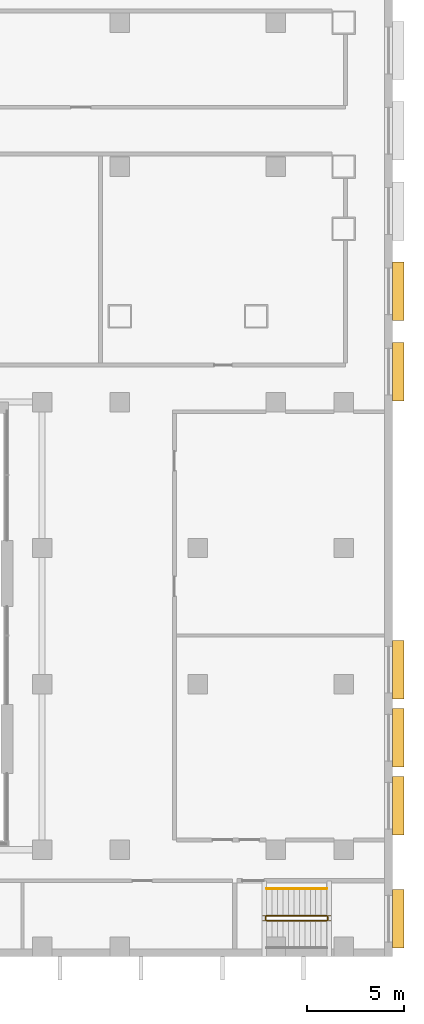
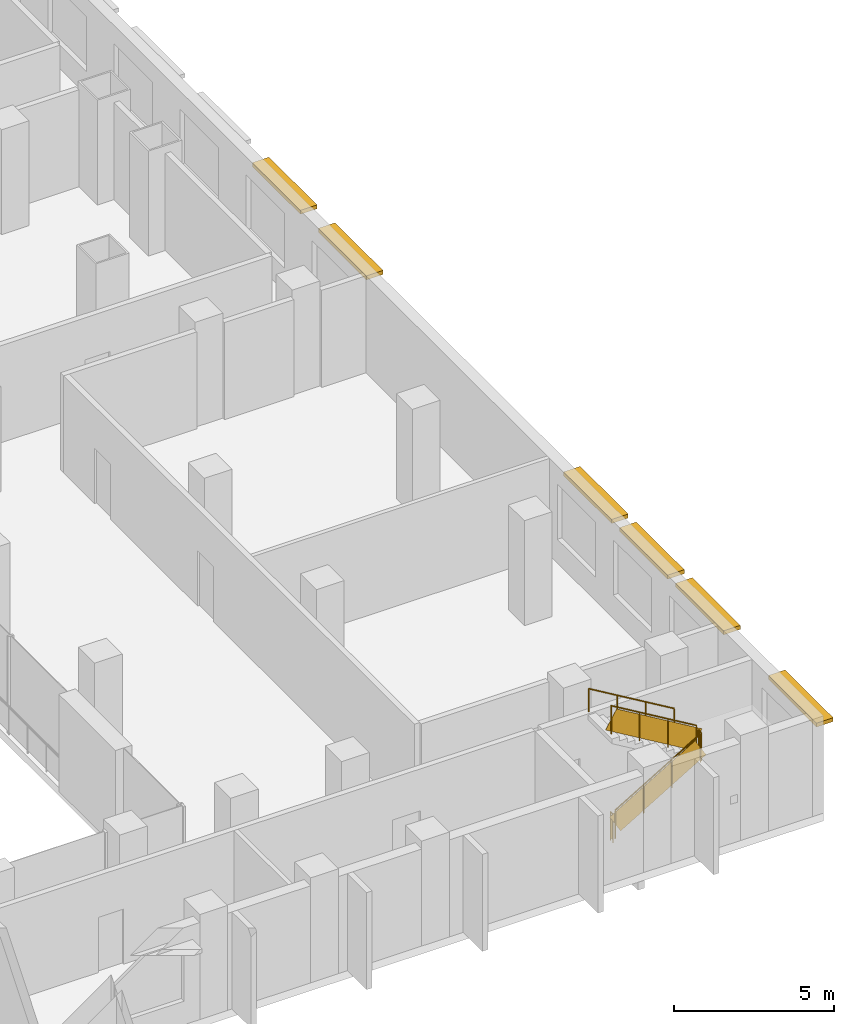
# One storey, part 22 of 25: 6 shading devices, 5 railings.
"""IFC4 building model written with IfcOpenShell, lengths in metres."""

import ifcopenshell
import ifcopenshell.guid

model = None  # the IFC model being written
_history = None  # IfcOwnerHistory: only IFC2X3 demands one
_inside = {}  # id of a spatial element -> (the spatial element, [elements in it])
_under = {}  # id of a project, library or spatial element -> (it, [spatial elements below it])
_declared = {}  # id of a project -> (the project, [libraries it declares])
_typed = {}  # id of a type object -> (the type object, [elements of that type])
_made_of = {}  # id of a material, layer set ... -> (it, [elements and type objects made of it])


def new_model(schema):
    """Start an empty IFC model of exactly this schema.

    Asked for "IFC4X3", IfcOpenShell would pick the latest addendum, in which some entities
    have other attributes; the version numbers below select the first issue.
    IFC2X3 requires an IfcOwnerHistory on every rooted entity: one is made here for all.
    """
    global model, _history
    if schema == "IFC4X3":
        model = ifcopenshell.file(schema_version=(4, 3, 0, 0))
    else:
        model = ifcopenshell.file(schema=schema)
    _inside.clear()
    _under.clear()
    _declared.clear()
    _typed.clear()
    _made_of.clear()
    _history = None
    if model.schema == "IFC2X3":
        org = make("IfcOrganization", Name="unknown")
        user = make(
            "IfcPersonAndOrganization",
            ThePerson=make("IfcPerson", FamilyName="unknown"),
            TheOrganization=org,
        )
        app = make(
            "IfcApplication",
            ApplicationDeveloper=org,
            Version="unknown",
            ApplicationFullName="unknown",
            ApplicationIdentifier="unknown",
        )
        _history = make(
            "IfcOwnerHistory",
            OwningUser=user,
            OwningApplication=app,
            ChangeAction="ADDED",
            CreationDate=0,
        )
    return model


def make(cls, **values):
    """One entity of the class cls with the attributes given. An attribute that is None is left unset."""
    return model.create_entity(
        cls, **{name: value for name, value in values.items() if value is not None}
    )


def rooted(cls, **values):
    """An entity with a GlobalId (a new one), such as an element, a storey or a relation."""
    return make(cls, GlobalId=ifcopenshell.guid.new(), OwnerHistory=_history, **values)


def si_unit(unit_type, name, prefix=None):
    """IfcSIUnit, for example si_unit("LENGTHUNIT", "METRE", prefix="MILLI")."""
    return make("IfcSIUnit", UnitType=unit_type, Prefix=prefix, Name=name)


def assignment(units):
    """IfcUnitAssignment: the units of a project."""
    return None if units is None else make("IfcUnitAssignment", Units=units)


def point(xyz):
    """IfcCartesianPoint."""
    return None if xyz is None else make("IfcCartesianPoint", Coordinates=xyz)


def direction(xyz):
    """IfcDirection."""
    return None if xyz is None else make("IfcDirection", DirectionRatios=xyz)


def frame(location, z_axis=None, x_axis=None):
    """IfcAxis2Placement3D, a coordinate frame: its origin and axes. An axis left out is left unset."""
    return make(
        "IfcAxis2Placement3D",
        Location=point(location),
        Axis=direction(z_axis),
        RefDirection=direction(x_axis),
    )


def frame_2d(location, x_axis=None):
    """IfcAxis2Placement2D, a coordinate frame in the plane: its origin and x axis."""
    return make(
        "IfcAxis2Placement2D", Location=point(location), RefDirection=direction(x_axis)
    )


def origin():
    """The frame at (0, 0, 0) with its axes left unset."""
    return frame((0.0, 0.0, 0.0))


def origin_2d():
    """The frame at (0, 0) in the plane with its x axis left unset."""
    return frame_2d((0.0, 0.0))


def place(relative_to, where):
    """IfcLocalPlacement: puts the frame where relative to a parent placement (None: the world)."""
    return make(
        "IfcLocalPlacement", PlacementRelTo=relative_to, RelativePlacement=where
    )


def context(
    kind, dimensions, precision=None, world=None, true_north=None, identifier=None
):
    """IfcGeometricRepresentationContext, for example the 3D "Model" context."""
    return make(
        "IfcGeometricRepresentationContext",
        ContextIdentifier=identifier,
        ContextType=kind,
        CoordinateSpaceDimension=dimensions,
        Precision=precision,
        WorldCoordinateSystem=world,
        TrueNorth=true_north,
    )


def subcontext(parent, identifier, kind, view, scale=None):
    """IfcGeometricRepresentationSubContext, for example "Body" below "Model"."""
    return make(
        "IfcGeometricRepresentationSubContext",
        ContextIdentifier=identifier,
        ContextType=kind,
        ParentContext=parent,
        TargetScale=scale,
        TargetView=view,
    )


def project(units=None, contexts=None):
    """IfcProject with its units and contexts."""
    return rooted(
        "IfcProject",
        Name="project",
        RepresentationContexts=contexts,
        UnitsInContext=assignment(units),
    )


def spatial(cls, under=None, at=None, **own):
    """A site, building, storey or space (cls), placed at a placement, below another one or the project."""
    s = rooted(cls, ObjectPlacement=at, **own)
    if under is not None:
        _under.setdefault(under.id(), (under, []))[1].append(s)
    return s


def profile(cls, at=None, kind="AREA", **sizes):
    """A parametric profile (cls). Its sizes go by their IFC names, for example OverallWidth=200.0."""
    return make(cls, ProfileType=kind, Position=at, **sizes)


def rectangle(**sizes):
    """IfcRectangleProfileDef."""
    return profile("IfcRectangleProfileDef", **sizes)


def circle(**sizes):
    """IfcCircleProfileDef."""
    return profile("IfcCircleProfileDef", **sizes)


def extrude(swept, where, along, depth):
    """IfcExtrudedAreaSolid: the profile swept, set in the frame where, extruded along a direction by depth."""
    return make(
        "IfcExtrudedAreaSolid",
        SweptArea=swept,
        Position=where,
        ExtrudedDirection=direction(along),
        Depth=depth,
    )


def shape(context_of_items, identifier, shape_type, items):
    """IfcShapeRepresentation: the items that make up one representation, for example the "Body"."""
    return make(
        "IfcShapeRepresentation",
        ContextOfItems=context_of_items,
        RepresentationIdentifier=identifier,
        RepresentationType=shape_type,
        Items=items,
    )


def material(Name=None, Category=None):
    """IfcMaterial."""
    return make("IfcMaterial", Name=Name, Category=Category)


def layer(
    of_material, thickness, ventilated=None, Name=None, Category=None, Priority=None
):
    """IfcMaterialLayer: one layer of a wall or slab, of a material (None: an air gap)."""
    return make(
        "IfcMaterialLayer",
        Material=of_material,
        LayerThickness=thickness,
        IsVentilated=ventilated,
        Name=Name,
        Category=Category,
        Priority=Priority,
    )


def layer_set(layers, Name=None):
    """IfcMaterialLayerSet."""
    return make("IfcMaterialLayerSet", MaterialLayers=layers, LayerSetName=Name)


def made_of(thing, what):
    """Note that an element or type object is made of a material, layer set ...; save() writes the relation."""
    if what is not None:
        _made_of.setdefault(what.id(), (what, []))[1].append(thing)
    return thing


def type_object(cls, material=None, **own):
    """A type object (cls), such as IfcWallType, which elements share."""
    return made_of(rooted(cls, **own), material)


def element(
    cls,
    number,
    at=None,
    inside=None,
    cuts=None,
    type_object=None,
    material=None,
    context=None,
    identifier="Body",
    shape_type=None,
    held_by="IfcProductDefinitionShape",
    body=None,
    shapes=None,
    **own,
):
    """One element of the class cls, such as IfcWall. Its Tag is "e" and its number.

    at: its placement. inside: the storey or other place that contains it. cuts: it is an
    opening in that element (IfcRelVoidsElement). A single representation is given by context,
    identifier, shape_type and body (its items); several are given by shapes. held_by: the class
    of the entity that holds the representations. save() writes the other relations.
    """
    e = rooted(cls, Tag="e%d" % number, ObjectPlacement=at, **own)
    if body is not None:
        shapes = [shape(context, identifier, shape_type, body)]
    if shapes is not None:
        e.Representation = make(held_by, Representations=shapes)
    if inside is not None:
        _inside.setdefault(inside.id(), (inside, []))[1].append(e)
    if cuts is not None:
        rooted(
            "IfcRelVoidsElement", RelatingBuildingElement=cuts, RelatedOpeningElement=e
        )
    if type_object is not None:
        _typed.setdefault(type_object.id(), (type_object, []))[1].append(e)
    return made_of(e, material)


def aggregate(whole, parts):
    """IfcRelAggregates: a whole, such as a stair, and the parts it consists of."""
    return rooted("IfcRelAggregates", RelatingObject=whole, RelatedObjects=parts)


def save(model, path):
    """Write the relations noted so far, then the file.

    IfcRelAggregates (storeys below a building ...), IfcRelContainedInSpatialStructure (elements
    in a storey), IfcRelDefinesByType, IfcRelAssociatesMaterial and IfcRelDeclares: one each for
    every whole, place, type object, material and project.
    """
    for whole, parts in _under.values():
        aggregate(whole, parts)
    for where, things in _inside.values():
        rooted(
            "IfcRelContainedInSpatialStructure",
            RelatedElements=things,
            RelatingStructure=where,
        )
    for kind, things in _typed.values():
        rooted("IfcRelDefinesByType", RelatedObjects=things, RelatingType=kind)
    for what, things in _made_of.values():
        rooted("IfcRelAssociatesMaterial", RelatedObjects=things, RelatingMaterial=what)
    for by, libraries in _declared.values():
        rooted("IfcRelDeclares", RelatingContext=by, RelatedDefinitions=libraries)
    model.write(path)


model = new_model("IFC4")

# Units and contexts
model_context = context("Model", 3, precision=1e-05, world=origin(), true_north=direction((0.0, 1.0)))
body_context = subcontext(model_context, "Body", "Model", "MODEL_VIEW")
ifc_project = project(units=[si_unit("LENGTHUNIT", "METRE"), si_unit("AREAUNIT", "SQUARE_METRE"), si_unit("VOLUMEUNIT", "CUBIC_METRE"), si_unit("PLANEANGLEUNIT", "RADIAN"), si_unit("MASSUNIT", "GRAM", prefix="KILO")], contexts=[model_context])

# Site, building, storey
site_placement = place(None, origin())
site = spatial("IfcSite", under=ifc_project, at=site_placement, CompositionType="ELEMENT")
building_placement = place(site_placement, origin())
building = spatial("IfcBuilding", under=site, at=building_placement, Name="Vidyagriha Tower", CompositionType="ELEMENT")
storey_placement = place(building_placement, frame((0.0, 0.0, 18.0)))
storey = spatial("IfcBuildingStorey", under=building, at=storey_placement, Name="L04", CompositionType="ELEMENT", Elevation=18.0)

# Shading devices
ifc_material_1 = material(Name="Precast concrete C40/50 with brick facing", Category="concrete")
ifc_layer = layer(ifc_material_1, 0.14990234375)
ifc_layer_set = layer_set([ifc_layer], Name="Precast concrete C40/50 with brick facing")
shading_device_type = type_object("IfcShadingDeviceType", Name="Brick chhajja window hood", PredefinedType="AWNING", material=ifc_layer_set)
for number, where, z_axis, x_axis, name in (
    (1, (40.300048828125, -48.050048828125, 3.0), (0.0, 0.0, 1.0), (0.0, 1.0, 0.0), "Window hood L04 R01.1"),
    (2, (40.300048828125, -42.25, 3.0), (0.0, 0.0, 1.0), (0.0, 1.0, 0.0), "Window hood L04 R01.3"),
    (3, (40.300048828125, -38.75, 3.0), (0.0, 0.0, 1.0), (0.0, 1.0, 0.0), "Window hood L04 R01.4"),
    (4, (40.300048828125, -35.25, 3.0), (0.0, 0.0, 1.0), (0.0, 1.0, 0.0), "Window hood L04 R01.5"),
    (5, (40.300048828125, -19.9375, 3.0), (0.0, 0.0, 1.0), (0.0, 1.0, 0.0), "Window hood L04 R01.10"),
    (6, (40.300048828125, -15.8125, 3.0), (0.0, 0.0, 1.0), (0.0, 1.0, 0.0), "Window hood L04 R01.11"),
):
    element("IfcShadingDevice", number, at=place(storey_placement, frame(where, z_axis=z_axis, x_axis=x_axis)), inside=storey, type_object=shading_device_type, Name=name, PredefinedType="AWNING", context=body_context, shape_type="SweptSolid", body=[
        extrude(rectangle(XDim=3.0, YDim=0.60009765625, at=origin_2d()), origin(), (0.0, 0.0, 1.0), 0.14990234375),
    ])

# Railings
ifc_material_2 = material(Name="Powder coated ASTM A500 Grade C steel balustrade", Category="steel")
railing_type_1 = type_object("IfcRailingType", Name="Podium Stair Guard 1100", PredefinedType="GUARDRAIL", material=ifc_material_2)
railing_1_placement = place(storey_placement, frame((33.544921875, -48.14990234375, 0.166748046875)))
element("IfcRailing", 7, at=railing_1_placement, inside=storey, type_object=railing_type_1, Name="L04 PS2 stair guard 1", PredefinedType="GUARDRAIL", context=body_context, shape_type="SweptSolid", body=[
    extrude(circle(Radius=0.02392578125, at=origin_2d()), frame((0.0, 0.0, 1.076171875), z_axis=(0.859308565015, 0.0, 0.511457515432), x_axis=(0.0, 1.0, 0.0)), (0.0, 0.0, 1.0), 3.58447265625),
    extrude(circle(Radius=0.02099609375, at=origin_2d()), origin(), (0.0, 0.0, 1.0), 1.052001953125),
    extrude(circle(Radius=0.02099609375, at=origin_2d()), frame((1.026611328125, 0.0, 0.611083984375)), (0.0, 0.0, 1.0), 1.052001953125),
    extrude(circle(Radius=0.02099609375, at=origin_2d()), frame((2.053466796875, 0.0, 1.22216796875)), (0.0, 0.0, 1.0), 1.052001953125),
    extrude(circle(Radius=0.02099609375, at=origin_2d()), frame((3.080078125, 0.0, 1.833251953125)), (0.0, 0.0, 1.0), 1.052001953125),
    extrude(rectangle(XDim=0.010009765625, YDim=0.775146484375, at=origin_2d()), frame((0.0, 0.0, 0.551025390625), z_axis=(0.859308565015, 0.0, 0.511457515432), x_axis=(0.0, 1.0, 0.0)), (0.0, 0.0, 1.0), 3.58447265625),
])
railing_2_placement = place(storey_placement, frame((36.675048828125, -48.10009765625, 2.0)))
element("IfcRailing", 8, at=railing_2_placement, inside=storey, type_object=railing_type_1, Name="L04 PS2 stair guard 2", PredefinedType="GUARDRAIL", context=body_context, shape_type="SweptSolid", body=[
    extrude(circle(Radius=0.02392578125, at=origin_2d()), frame((0.0, 0.0, 1.076171875), z_axis=(0.0, 1.0, 0.0), x_axis=(-1.0, 0.0, 0.0)), (0.0, 0.0, 1.0), 0.150146484375),
    extrude(circle(Radius=0.02099609375, at=origin_2d()), origin(), (0.0, 0.0, 1.0), 1.052001953125),
    extrude(circle(Radius=0.02099609375, at=origin_2d()), frame((0.0, 0.150146484375, 0.0)), (0.0, 0.0, 1.0), 1.052001953125),
    extrude(rectangle(XDim=0.010009765625, YDim=0.902099609375, at=origin_2d()), frame((0.0, 0.0, 0.551025390625), z_axis=(0.0, 1.0, 0.0), x_axis=(-1.0, 0.0, 0.0)), (0.0, 0.0, 1.0), 0.150146484375),
])
railing_3_placement = place(storey_placement, frame((36.625, -47.89990234375, 2.166748046875)))
element("IfcRailing", 9, at=railing_3_placement, inside=storey, type_object=railing_type_1, Name="L04 PS2 stair guard 3", PredefinedType="GUARDRAIL", context=body_context, shape_type="SweptSolid", body=[
    extrude(circle(Radius=0.02392578125, at=origin_2d()), frame((0.0, 0.0, 1.076171875), z_axis=(-0.859308565015, 0.0, 0.511457515432), x_axis=(0.0, -1.0, 0.0)), (0.0, 0.0, 1.0), 3.58447265625),
    extrude(circle(Radius=0.02099609375, at=origin_2d()), origin(), (0.0, 0.0, 1.0), 1.052001953125),
    extrude(circle(Radius=0.02099609375, at=origin_2d()), frame((-1.026611328125, 0.0, 0.611083984375)), (0.0, 0.0, 1.0), 1.052001953125),
    extrude(circle(Radius=0.02099609375, at=origin_2d()), frame((-2.053466796875, 0.0, 1.22216796875)), (0.0, 0.0, 1.0), 1.052001953125),
    extrude(circle(Radius=0.02099609375, at=origin_2d()), frame((-3.080078125, 0.0, 1.833251953125)), (0.0, 0.0, 1.0), 1.052001953125),
    extrude(rectangle(XDim=0.010009765625, YDim=0.775146484375, at=origin_2d()), frame((0.0, 0.0, 0.551025390625), z_axis=(-0.859308565015, 0.0, 0.511457515432), x_axis=(0.0, -1.0, 0.0)), (0.0, 0.0, 1.0), 3.58447265625),
])
railing_4_placement = place(storey_placement, frame((33.4951171875, -48.10009765625, 0.0)))
element("IfcRailing", 10, at=railing_4_placement, inside=storey, type_object=railing_type_1, Name="L04 PS2 stair guard 4", PredefinedType="GUARDRAIL", context=body_context, shape_type="SweptSolid", body=[
    extrude(circle(Radius=0.02392578125, at=origin_2d()), frame((0.0, 0.0, 1.076171875), z_axis=(0.0, 1.0, 0.0), x_axis=(-1.0, 0.0, 0.0)), (0.0, 0.0, 1.0), 0.150146484375),
    extrude(circle(Radius=0.02099609375, at=origin_2d()), origin(), (0.0, 0.0, 1.0), 1.052001953125),
    extrude(circle(Radius=0.02099609375, at=origin_2d()), frame((0.0, 0.150146484375, 0.0)), (0.0, 0.0, 1.0), 1.052001953125),
    extrude(rectangle(XDim=0.010009765625, YDim=0.902099609375, at=origin_2d()), frame((0.0, 0.0, 0.551025390625), z_axis=(0.0, 1.0, 0.0), x_axis=(-1.0, 0.0, 0.0)), (0.0, 0.0, 1.0), 0.150146484375),
])
ifc_material_3 = material(Name="Powder coated ASTM A500 Grade C steel handrail", Category="steel")
railing_type_2 = type_object("IfcRailingType", Name="Podium Stair Handrail 900", PredefinedType="HANDRAIL", material=ifc_material_3)
railing_5_placement = place(storey_placement, frame((36.625, -46.5, 2.166748046875)))
element("IfcRailing", 11, at=railing_5_placement, inside=storey, type_object=railing_type_2, Name="L04 PS2 stair handrail 2", PredefinedType="HANDRAIL", context=body_context, shape_type="SweptSolid", body=[
    extrude(circle(Radius=0.02392578125, at=origin_2d()), frame((0.0, 0.0, 0.8759765625), z_axis=(-0.859308565015, 0.0, 0.511457515432), x_axis=(0.0, -1.0, 0.0)), (0.0, 0.0, 1.0), 3.58447265625),
    extrude(circle(Radius=0.02099609375, at=origin_2d()), origin(), (0.0, 0.0, 1.0), 0.851806640625),
    extrude(circle(Radius=0.02099609375, at=origin_2d()), frame((-1.026611328125, 0.0, 0.611083984375)), (0.0, 0.0, 1.0), 0.851806640625),
    extrude(circle(Radius=0.02099609375, at=origin_2d()), frame((-2.053466796875, 0.0, 1.22216796875)), (0.0, 0.0, 1.0), 0.851806640625),
    extrude(circle(Radius=0.02099609375, at=origin_2d()), frame((-3.080078125, 0.0, 1.833251953125)), (0.0, 0.0, 1.0), 0.851806640625),
])

save(model, "model.ifc")
